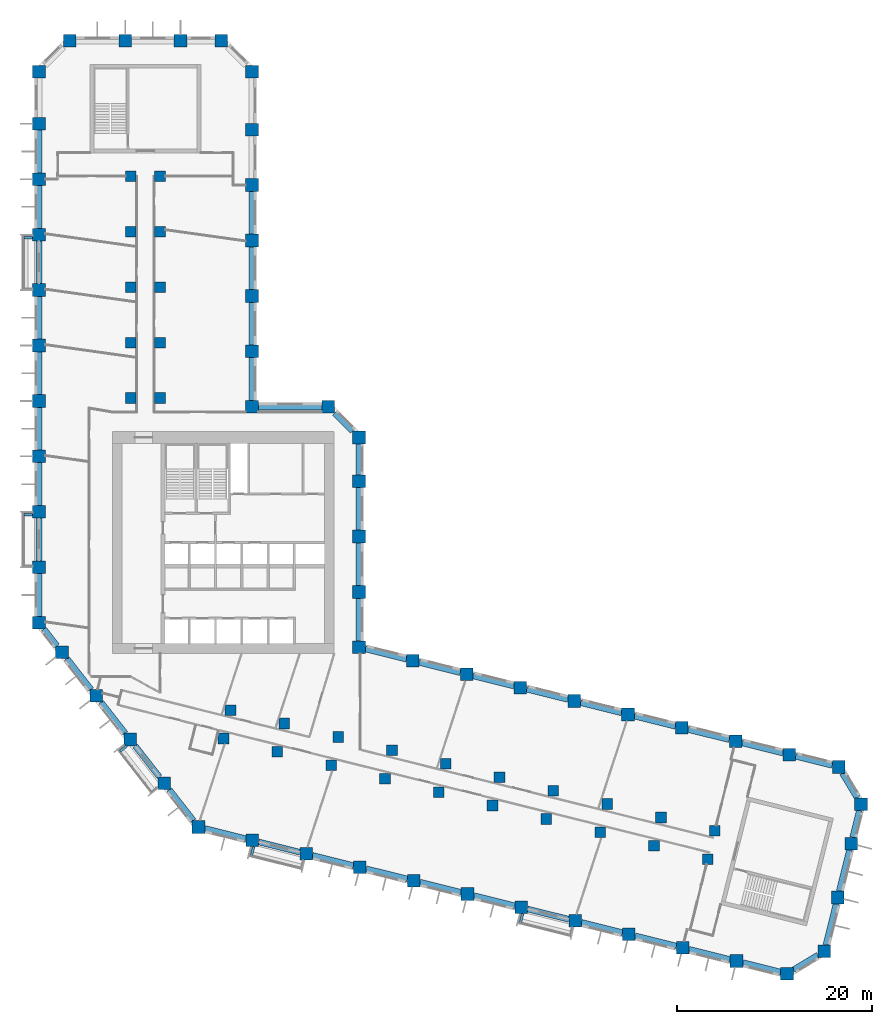
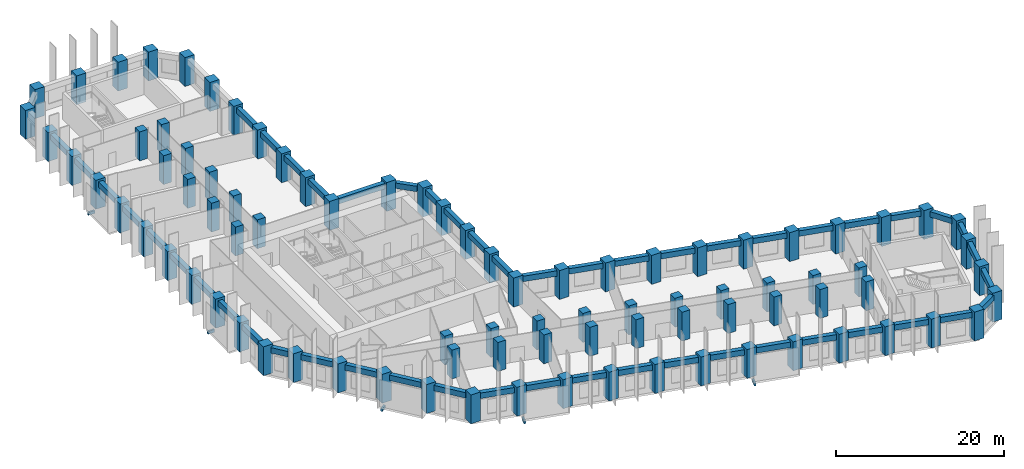
# One storey, part 1 of 11: 87 columns, 54 beams.
"""IFC4 building model written with IfcOpenShell, lengths in metres."""

from ifc_helpers import new_model, si_unit, direction, frame, origin, origin_2d, place, context, subcontext, project, spatial, rectangle, extrude, material, material_profile, profile_set, type_object, element, save


model = new_model("IFC4")

# Units and contexts
model_context = context("Model", 3, precision=1e-05, world=origin(), true_north=direction((0.0, 1.0)))
body_context = subcontext(model_context, "Body", "Model", "MODEL_VIEW")
ifc_project = project(units=[si_unit("LENGTHUNIT", "METRE"), si_unit("AREAUNIT", "SQUARE_METRE"), si_unit("VOLUMEUNIT", "CUBIC_METRE"), si_unit("PLANEANGLEUNIT", "RADIAN"), si_unit("MASSUNIT", "GRAM", prefix="KILO")], contexts=[model_context])

# Site, building, storey
site_placement = place(None, origin())
site = spatial("IfcSite", under=ifc_project, at=site_placement, CompositionType="ELEMENT")
building_placement = place(site_placement, origin())
building = spatial("IfcBuilding", under=site, at=building_placement, Name="Meshkara Civic Tower", CompositionType="ELEMENT")
storey_placement = place(building_placement, frame((0.0, 0.0, 147.60009765625)))
storey = spatial("IfcBuildingStorey", under=building, at=storey_placement, Name="L33", CompositionType="ELEMENT", Elevation=147.60009765625)

# Columns
ifc_material_1 = material(Name="Concrete C70", Category="concrete")
ifc_material_profile_1 = material_profile(ifc_material_1, rectangle(XDim=1.10009765625, YDim=1.10009765625, at=origin_2d()))
ifc_profile_set_1 = profile_set([ifc_material_profile_1], Name="Concrete C70")
column_type_1 = type_object("IfcColumnType", Name="Interior column RC 1100x1100 C70", PredefinedType="COLUMN", material=ifc_profile_set_1)
for number, where, z_axis, x_axis, name in (
    (1, (9.89990234375, 40.35009765625, 0.0), (0.0, 0.0, 1.0), (1.0, 0.0, 0.0), "Column SA1-04 L33"),
    (2, (9.89990234375, 46.050048828125, 0.0), (0.0, 0.0, 1.0), (1.0, 0.0, 0.0), "Column SA1-05 L33"),
    (3, (9.89990234375, 51.75, 0.0), (0.0, 0.0, 1.0), (1.0, 0.0, 0.0), "Column SA1-06 L33"),
    (4, (9.89990234375, 57.449951171875, 0.0), (0.0, 0.0, 1.0), (1.0, 0.0, 0.0), "Column SA1-07 L33"),
    (5, (9.89990234375, 63.14990234375, 0.0), (0.0, 0.0, 1.0), (1.0, 0.0, 0.0), "Column SA1-08 L33"),
    (6, (12.89990234375, 40.35009765625, 0.0), (0.0, 0.0, 1.0), (1.0, 0.0, 0.0), "Column SA2-04 L33"),
    (7, (12.89990234375, 46.050048828125, 0.0), (0.0, 0.0, 1.0), (1.0, 0.0, 0.0), "Column SA2-05 L33"),
    (8, (12.89990234375, 51.75, 0.0), (0.0, 0.0, 1.0), (1.0, 0.0, 0.0), "Column SA2-06 L33"),
    (9, (12.89990234375, 57.449951171875, 0.0), (0.0, 0.0, 1.0), (1.0, 0.0, 0.0), "Column SA2-07 L33"),
    (10, (12.89990234375, 63.14990234375, 0.0), (0.0, 0.0, 1.0), (1.0, 0.0, 0.0), "Column SA2-08 L33"),
    (11, (19.424072265625, 5.360107421875, 0.0), (0.0, 0.0, 1.0), (1.0, 0.0, 0.0), "Column SB1-00 L33"),
    (12, (24.9541015625, 3.98095703125, 0.0), (0.0, 0.0, 1.0), (1.0, 0.0, 0.0), "Column SB1-01 L33"),
    (13, (30.485107421875, 2.60205078125, 0.0), (0.0, 0.0, 1.0), (1.0, 0.0, 0.0), "Column SB1-02 L33"),
    (14, (36.01611328125, 1.222900390625, 0.0), (0.0, 0.0, 1.0), (1.0, 0.0, 0.0), "Column SB1-03 L33"),
    (15, (41.5458984375, -0.156005859375, 0.0), (0.0, 0.0, 1.0), (1.0, 0.0, 0.0), "Column SB1-04 L33"),
    (16, (47.076904296875, -1.534912109375, 0.0), (0.0, 0.0, 1.0), (1.0, 0.0, 0.0), "Column SB1-05 L33"),
    (17, (52.60791015625, -2.9140625, 0.0), (0.0, 0.0, 1.0), (1.0, 0.0, 0.0), "Column SB1-06 L33"),
    (18, (58.138916015625, -4.2919921875, 0.0), (0.0, 0.0, 1.0), (1.0, 0.0, 0.0), "Column SB1-07 L33"),
    (19, (63.6689453125, -5.6708984375, 0.0), (0.0, 0.0, 1.0), (1.0, 0.0, 0.0), "Column SB1-08 L33"),
    (20, (69.199951171875, -7.050048828125, 0.0), (0.0, 0.0, 1.0), (1.0, 0.0, 0.0), "Column SB1-09 L33"),
    (21, (20.14892578125, 8.27099609375, 0.0), (0.0, 0.0, 1.0), (1.0, 0.0, 0.0), "Column SB2-00 L33"),
    (22, (25.679931640625, 6.89208984375, 0.0), (0.0, 0.0, 1.0), (1.0, 0.0, 0.0), "Column SB2-01 L33"),
    (23, (31.2109375, 5.512939453125, 0.0), (0.0, 0.0, 1.0), (1.0, 0.0, 0.0), "Column SB2-02 L33"),
    (24, (36.741943359375, 4.134033203125, 0.0), (0.0, 0.0, 1.0), (1.0, 0.0, 0.0), "Column SB2-03 L33"),
    (25, (42.27197265625, 2.7548828125, 0.0), (0.0, 0.0, 1.0), (1.0, 0.0, 0.0), "Column SB2-04 L33"),
    (26, (47.802978515625, 1.3759765625, 0.0), (0.0, 0.0, 1.0), (1.0, 0.0, 0.0), "Column SB2-05 L33"),
    (27, (53.333984375, -0.0029296875, 0.0), (0.0, 0.0, 1.0), (1.0, 0.0, 0.0), "Column SB2-06 L33"),
    (28, (58.864013671875, -1.382080078125, 0.0), (0.0, 0.0, 1.0), (1.0, 0.0, 0.0), "Column SB2-07 L33"),
    (29, (64.39501953125, -2.760986328125, 0.0), (0.0, 0.0, 1.0), (1.0, 0.0, 0.0), "Column SB2-08 L33"),
    (30, (69.926025390625, -4.139892578125, 0.0), (0.0, 0.0, 1.0), (1.0, 0.0, 0.0), "Column SB2-09 L33"),
):
    element("IfcColumn", number, at=place(storey_placement, frame(where, z_axis=z_axis, x_axis=x_axis)), inside=storey, type_object=column_type_1, Name=name, PredefinedType="COLUMN", context=body_context, shape_type="SweptSolid", body=[
        extrude(rectangle(XDim=1.10009765625, YDim=1.10009765625, at=origin_2d()), origin(), (0.0, 0.0, 1.0), 4.199951171875),
    ])
ifc_material_2 = material(Name="Concrete C70", Category="concrete")
ifc_material_profile_2 = material_profile(ifc_material_2, rectangle(XDim=1.300048828125, YDim=1.300048828125, at=origin_2d()))
ifc_profile_set_2 = profile_set([ifc_material_profile_2], Name="Concrete C70")
column_type_2 = type_object("IfcColumnType", Name="Perimeter column RC 1300x1300 C70", PredefinedType="COLUMN", material=ifc_profile_set_2)
for number, where, z_axis, x_axis, name in (
    (31, (33.35009765625, 14.718994140625, 0.0), (0.0, 0.0, 1.0), (1.0, 0.0, 0.0), "Column HE00 L33"),
    (32, (33.35009765625, 20.4189453125, 0.0), (0.0, 0.0, 1.0), (1.0, 0.0, 0.0), "Column HE01 L33"),
    (33, (33.35009765625, 26.118896484375, 0.0), (0.0, 0.0, 1.0), (1.0, 0.0, 0.0), "Column HE02 L33"),
    (34, (33.35009765625, 31.819091796875, 0.0), (0.0, 0.0, 1.0), (1.0, 0.0, 0.0), "Column HE03 L33"),
    (35, (33.35009765625, 36.2939453125, 0.0), (0.0, 0.0, 1.0), (1.0, 0.0, 0.0), "Column HEE L33"),
    (36, (30.194091796875, 39.449951171875, 0.0), (0.0, 0.0, 1.0), (1.0, 0.0, 0.0), "Column HCeE L33"),
    (37, (22.35009765625, 39.449951171875, 0.0), (0.0, 0.0, 1.0), (1.0, 0.0, 0.0), "Column HN00 L33"),
    (38, (22.35009765625, 45.14990234375, 0.0), (0.0, 0.0, 1.0), (1.0, 0.0, 0.0), "Column AE01 L33"),
    (39, (22.35009765625, 50.85009765625, 0.0), (0.0, 0.0, 1.0), (1.0, 0.0, 0.0), "Column AE02 L33"),
    (40, (22.35009765625, 56.550048828125, 0.0), (0.0, 0.0, 1.0), (1.0, 0.0, 0.0), "Column AE03 L33"),
    (41, (22.35009765625, 62.25, 0.0), (0.0, 0.0, 1.0), (1.0, 0.0, 0.0), "Column AE04 L33"),
    (42, (22.35009765625, 67.949951171875, 0.0), (0.0, 0.0, 1.0), (1.0, 0.0, 0.0), "Column AE05 L33"),
    (43, (22.35009765625, 73.9140625, 0.0), (0.0, 0.0, 1.0), (1.0, 0.0, 0.0), "Column AEEP1 L33"),
    (44, (19.194091796875, 77.070068359375, 0.0), (0.0, 0.0, 1.0), (1.0, 0.0, 0.0), "Column ATiEP1 L33"),
    (45, (3.60595703125, 77.070068359375, 0.0), (0.0, 0.0, 1.0), (1.0, 0.0, 0.0), "Column AT00-P1 L33"),
    (46, (9.305908203125, 77.070068359375, 0.0), (0.0, 0.0, 1.0), (1.0, 0.0, 0.0), "Column AT01-P1 L33"),
    (47, (15.006103515625, 77.070068359375, 0.0), (0.0, 0.0, 1.0), (1.0, 0.0, 0.0), "Column AT02-P1 L33"),
    (48, (0.449951171875, 73.9140625, 0.0), (0.0, 0.0, 1.0), (1.0, 0.0, 0.0), "Column ATo00-P1 L33"),
    (49, (0.449951171875, 17.2548828125, 0.0), (0.0, 0.0, 1.0), (1.0, 0.0, 0.0), "Column AW00 L33"),
    (50, (0.449951171875, 22.955078125, 0.0), (0.0, 0.0, 1.0), (1.0, 0.0, 0.0), "Column AW01 L33"),
    (51, (0.449951171875, 28.655029296875, 0.0), (0.0, 0.0, 1.0), (1.0, 0.0, 0.0), "Column AW02 L33"),
    (52, (0.449951171875, 34.35498046875, 0.0), (0.0, 0.0, 1.0), (1.0, 0.0, 0.0), "Column AW03 L33"),
    (53, (0.449951171875, 40.054931640625, 0.0), (0.0, 0.0, 1.0), (1.0, 0.0, 0.0), "Column AW04 L33"),
    (54, (0.449951171875, 45.7548828125, 0.0), (0.0, 0.0, 1.0), (1.0, 0.0, 0.0), "Column AW05 L33"),
    (55, (0.449951171875, 51.455078125, 0.0), (0.0, 0.0, 1.0), (1.0, 0.0, 0.0), "Column AW06 L33"),
    (56, (0.449951171875, 57.155029296875, 0.0), (0.0, 0.0, 1.0), (1.0, 0.0, 0.0), "Column AW07 L33"),
    (57, (0.449951171875, 62.85498046875, 0.0), (0.0, 0.0, 1.0), (1.0, 0.0, 0.0), "Column AW08 L33"),
    (58, (0.449951171875, 68.554931640625, 0.0), (0.0, 0.0, 1.0), (1.0, 0.0, 0.0), "Column AW09 L33"),
    (59, (16.85107421875, -3.738037109375, 0.0), (0.0, 0.0, 1.0), (1.0, 0.0, 0.0), "Column BOW00 L33"),
    (60, (13.342041015625, 0.75390625, 0.0), (0.0, 0.0, 1.0), (1.0, 0.0, 0.0), "Column BOW01 L33"),
    (61, (9.8330078125, 5.2451171875, 0.0), (0.0, 0.0, 1.0), (1.0, 0.0, 0.0), "Column BOW02 L33"),
    (62, (6.322998046875, 9.737060546875, 0.0), (0.0, 0.0, 1.0), (1.0, 0.0, 0.0), "Column BOW03 L33"),
    (63, (2.81396484375, 14.22900390625, 0.0), (0.0, 0.0, 1.0), (1.0, 0.0, 0.0), "Column BOW04 L33"),
    (64, (22.382080078125, -5.116943359375, 0.0), (0.0, 0.0, 1.0), (1.0, 0.0, 0.0), "Column BS01 L33"),
    (65, (27.912109375, -6.49609375, 0.0), (0.0, 0.0, 1.0), (1.0, 0.0, 0.0), "Column BS02 L33"),
    (66, (33.443115234375, -7.875, 0.0), (0.0, 0.0, 1.0), (1.0, 0.0, 0.0), "Column BS03 L33"),
    (67, (38.97412109375, -9.2529296875, 0.0), (0.0, 0.0, 1.0), (1.0, 0.0, 0.0), "Column BS04-P1 L33"),
    (68, (44.5048828125, -10.632080078125, 0.0), (0.0, 0.0, 1.0), (1.0, 0.0, 0.0), "Column BS05 L33"),
    (69, (50.034912109375, -12.010986328125, 0.0), (0.0, 0.0, 1.0), (1.0, 0.0, 0.0), "Column BS06 L33"),
    (70, (55.56591796875, -13.389892578125, 0.0), (0.0, 0.0, 1.0), (1.0, 0.0, 0.0), "Column BS07 L33"),
    (71, (61.096923828125, -14.76904296875, 0.0), (0.0, 0.0, 1.0), (1.0, 0.0, 0.0), "Column BS08 L33"),
    (72, (66.626953125, -16.14794921875, 0.0), (0.0, 0.0, 1.0), (1.0, 0.0, 0.0), "Column BS09 L33"),
    (73, (72.157958984375, -17.527099609375, 0.0), (0.0, 0.0, 1.0), (1.0, 0.0, 0.0), "Column BS10 L33"),
    (74, (77.35791015625, -18.822998046875, 0.0), (0.0, 0.0, 1.0), (1.0, 0.0, 0.0), "Column BSEP1 L33"),
    (75, (81.18310546875, -16.52392578125, 0.0), (0.0, 0.0, 1.0), (1.0, 0.0, 0.0), "Column BToEP1 L33"),
    (76, (82.56201171875, -10.992919921875, 0.0), (0.0, 0.0, 1.0), (1.0, 0.0, 0.0), "Column BT01-P1 L33"),
    (77, (83.94091796875, -5.462890625, 0.0), (0.0, 0.0, 1.0), (1.0, 0.0, 0.0), "Column BT02-P1 L33"),
    (78, (84.9541015625, -1.39990234375, 0.0), (0.0, 0.0, 1.0), (1.0, 0.0, 0.0), "Column BTEP1 L33"),
    (79, (82.655029296875, 2.425048828125, 0.0), (0.0, 0.0, 1.0), (1.0, 0.0, 0.0), "Column BTi00-P1 L33"),
    (80, (38.881103515625, 13.340087890625, 0.0), (0.0, 0.0, 1.0), (1.0, 0.0, 0.0), "Column BN01 L33"),
    (81, (44.410888671875, 11.9609375, 0.0), (0.0, 0.0, 1.0), (1.0, 0.0, 0.0), "Column BN02 L33"),
    (82, (49.94189453125, 10.58203125, 0.0), (0.0, 0.0, 1.0), (1.0, 0.0, 0.0), "Column BN03 L33"),
    (83, (55.472900390625, 9.202880859375, 0.0), (0.0, 0.0, 1.0), (1.0, 0.0, 0.0), "Column BN04 L33"),
    (84, (61.0029296875, 7.823974609375, 0.0), (0.0, 0.0, 1.0), (1.0, 0.0, 0.0), "Column BN05 L33"),
    (85, (66.533935546875, 6.445068359375, 0.0), (0.0, 0.0, 1.0), (1.0, 0.0, 0.0), "Column BN06 L33"),
    (86, (72.06494140625, 5.06591796875, 0.0), (0.0, 0.0, 1.0), (1.0, 0.0, 0.0), "Column BN07 L33"),
    (87, (77.594970703125, 3.68701171875, 0.0), (0.0, 0.0, 1.0), (1.0, 0.0, 0.0), "Column BN08 L33"),
):
    element("IfcColumn", number, at=place(storey_placement, frame(where, z_axis=z_axis, x_axis=x_axis)), inside=storey, type_object=column_type_2, Name=name, PredefinedType="COLUMN", context=body_context, shape_type="SweptSolid", body=[
        extrude(rectangle(XDim=1.300048828125, YDim=1.300048828125, at=origin_2d()), origin(), (0.0, 0.0, 1.0), 4.199951171875),
    ])

# Beams
ifc_material_3 = material(Name="Concrete C50", Category="concrete")
ifc_material_profile_3 = material_profile(ifc_material_3, rectangle(XDim=0.25, YDim=0.39990234375, at=origin_2d()))
ifc_profile_set_3 = profile_set([ifc_material_profile_3], Name="Concrete C50")
beam_type_1 = type_object("IfcBeamType", Name="Balcony bracket beam RC 250x400 C50", PredefinedType="BEAM", material=ifc_profile_set_3)
for number, where, z_axis, x_axis, name in (
    (88, (-0.195068359375, 56.85498046875, -0.5), (-1.0, 0.0, 0.0), (0.0, -1.0, 0.0), "Balcony bracket beam"),
    (89, (-0.195068359375, 28.35498046875, -0.5), (-1.0, 0.0, 0.0), (0.0, -1.0, 0.0), "Balcony bracket beam"),
):
    element("IfcBeam", number, at=place(storey_placement, frame(where, z_axis=z_axis, x_axis=x_axis)), inside=storey, type_object=beam_type_1, Name=name, PredefinedType="BEAM", context=body_context, shape_type="SweptSolid", body=[
        extrude(rectangle(XDim=0.25, YDim=0.39990234375, at=origin_2d()), origin(), (0.0, 0.0, 1.0), 0.905029296875),
    ])
beam_1_placement = place(storey_placement, frame((9.491943359375, 4.597900390625, -0.5), z_axis=(-0.787936375825, -0.615756662693, 0.0), x_axis=(0.615756662693, -0.787936375825, 0.0)))
element("IfcBeam", 90, at=beam_1_placement, inside=storey, type_object=beam_type_1, Name="Balcony bracket beam", PredefinedType="BEAM", context=body_context, shape_type="SweptSolid", body=[
    extrude(rectangle(XDim=0.25, YDim=0.39990234375, at=origin_2d()), origin(), (0.0, 0.0, 1.0), 0.88330078125),
])
beam_2_placement = place(storey_placement, frame((22.530029296875, -5.761962890625, -0.5), z_axis=(-0.241697450497, -0.970351659154, 0.0), x_axis=(0.970351659154, -0.241697450497, 0.0)))
element("IfcBeam", 91, at=beam_2_placement, inside=storey, type_object=beam_type_1, Name="Balcony bracket beam", PredefinedType="BEAM", context=body_context, shape_type="SweptSolid", body=[
    extrude(rectangle(XDim=0.25, YDim=0.39990234375, at=origin_2d()), origin(), (0.0, 0.0, 1.0), 0.959716796875),
])
beam_3_placement = place(storey_placement, frame((50.18310546875, -12.656005859375, -0.5), z_axis=(-0.241757949961, -0.970336587804, 0.0), x_axis=(0.970336587804, -0.241757949961, 0.0)))
element("IfcBeam", 92, at=beam_3_placement, inside=storey, type_object=beam_type_1, Name="Balcony bracket beam", PredefinedType="BEAM", context=body_context, shape_type="SweptSolid", body=[
    extrude(rectangle(XDim=0.25, YDim=0.39990234375, at=origin_2d()), origin(), (0.0, 0.0, 1.0), 0.96044921875),
])
ifc_material_4 = material(Name="Concrete C70", Category="concrete")
ifc_material_profile_4 = material_profile(ifc_material_4, rectangle(XDim=0.60009765625, YDim=0.800048828125, at=origin_2d()))
ifc_profile_set_4 = profile_set([ifc_material_profile_4], Name="Concrete C70")
beam_type_2 = type_object("IfcBeamType", Name="Spandrel beam RC 600x800 C70", PredefinedType="BEAM", material=ifc_profile_set_4)
beam_4_placement = place(storey_placement, frame((76.949951171875, 3.847900390625, 3.5), z_axis=(-0.970293497888, 0.241930832999, 0.0), x_axis=(-0.241930832999, -0.970293497888, 0.0)))
element("IfcBeam", 93, at=beam_4_placement, inside=storey, type_object=beam_type_2, Name="Spandrel beam BN07-BN08", PredefinedType="BEAM", context=body_context, shape_type="SweptSolid", body=[
    extrude(rectangle(XDim=0.60009765625, YDim=0.800048828125, at=origin_2d()), origin(), (0.0, 0.0, 1.0), 4.36962890625),
])
for number, where, z_axis, x_axis, name in (
    (94, (71.419921875, 5.226806640625, 3.5), (-0.970293463154, 0.241930972304, 0.0), (-0.241930972304, -0.970293463154, 0.0), "Spandrel beam BN06-BN07"),
    (95, (65.888916015625, 6.605712890625, 3.5), (-0.970293463154, 0.241930972304, 0.0), (-0.241930972304, -0.970293463154, 0.0), "Spandrel beam BN05-BN06"),
):
    element("IfcBeam", number, at=place(storey_placement, frame(where, z_axis=z_axis, x_axis=x_axis)), inside=storey, type_object=beam_type_2, Name=name, PredefinedType="BEAM", context=body_context, shape_type="SweptSolid", body=[
        extrude(rectangle(XDim=0.60009765625, YDim=0.800048828125, at=origin_2d()), origin(), (0.0, 0.0, 1.0), 4.37060546875),
    ])
beam_5_placement = place(storey_placement, frame((60.35791015625, 7.98486328125, 3.5), z_axis=(-0.970293497888, 0.241930832999, 0.0), x_axis=(-0.241930832999, -0.970293497888, 0.0)))
element("IfcBeam", 96, at=beam_5_placement, inside=storey, type_object=beam_type_2, Name="Spandrel beam BN04-BN05", PredefinedType="BEAM", context=body_context, shape_type="SweptSolid", body=[
    extrude(rectangle(XDim=0.60009765625, YDim=0.800048828125, at=origin_2d()), origin(), (0.0, 0.0, 1.0), 4.36962890625),
])
for number, where, z_axis, x_axis, name in (
    (97, (54.827880859375, 9.36376953125, 3.5), (-0.970293463154, 0.241930972304, 0.0), (-0.241930972304, -0.970293463154, 0.0), "Spandrel beam BN03-BN04"),
    (98, (49.296875, 10.742919921875, 3.5), (-0.970293463154, 0.241930972304, 0.0), (-0.241930972304, -0.970293463154, 0.0), "Spandrel beam BN02-BN03"),
):
    element("IfcBeam", number, at=place(storey_placement, frame(where, z_axis=z_axis, x_axis=x_axis)), inside=storey, type_object=beam_type_2, Name=name, PredefinedType="BEAM", context=body_context, shape_type="SweptSolid", body=[
        extrude(rectangle(XDim=0.60009765625, YDim=0.800048828125, at=origin_2d()), origin(), (0.0, 0.0, 1.0), 4.37060546875),
    ])
beam_6_placement = place(storey_placement, frame((43.765869140625, 12.121826171875, 3.5), z_axis=(-0.970280380753, 0.241983434817, 0.0), x_axis=(-0.241983434817, -0.970280380753, 0.0)))
element("IfcBeam", 99, at=beam_6_placement, inside=storey, type_object=beam_type_2, Name="Spandrel beam BN01-BN02", PredefinedType="BEAM", context=body_context, shape_type="SweptSolid", body=[
    extrude(rectangle(XDim=0.60009765625, YDim=0.800048828125, at=origin_2d()), origin(), (0.0, 0.0, 1.0), 4.36962890625),
])
beam_7_placement = place(storey_placement, frame((38.23583984375, 13.500732421875, 3.5), z_axis=(-0.970293463154, 0.241930972304, 0.0), x_axis=(-0.241930972304, -0.970293463154, 0.0)))
element("IfcBeam", 100, at=beam_7_placement, inside=storey, type_object=beam_type_2, Name="Spandrel beam BN01-HE00", PredefinedType="BEAM", context=body_context, shape_type="SweptSolid", body=[
    extrude(rectangle(XDim=0.60009765625, YDim=0.800048828125, at=origin_2d()), origin(), (0.0, 0.0, 1.0), 4.37060546875),
])
beam_8_placement = place(storey_placement, frame((33.35009765625, 15.364013671875, 3.5), z_axis=(0.0, 1.0, 0.0), x_axis=(-1.0, 0.0, 0.0)))
element("IfcBeam", 101, at=beam_8_placement, inside=storey, type_object=beam_type_2, Name="Spandrel beam HE00-HE01", PredefinedType="BEAM", context=body_context, shape_type="SweptSolid", body=[
    extrude(rectangle(XDim=0.60009765625, YDim=0.800048828125, at=origin_2d()), origin(), (0.0, 0.0, 1.0), 4.409912109375),
])
for number, where, z_axis, x_axis, name in (
    (102, (33.35009765625, 21.06396484375, 3.5), (0.0, 1.0, 0.0), (-1.0, 0.0, 0.0), "Spandrel beam HE01-HE02"),
    (103, (33.35009765625, 26.763916015625, 3.5), (0.0, 1.0, 0.0), (-1.0, 0.0, 0.0), "Spandrel beam HE02-HE03"),
):
    element("IfcBeam", number, at=place(storey_placement, frame(where, z_axis=z_axis, x_axis=x_axis)), inside=storey, type_object=beam_type_2, Name=name, PredefinedType="BEAM", context=body_context, shape_type="SweptSolid", body=[
        extrude(rectangle(XDim=0.60009765625, YDim=0.800048828125, at=origin_2d()), origin(), (0.0, 0.0, 1.0), 4.41015625),
    ])
beam_9_placement = place(storey_placement, frame((33.35009765625, 32.464111328125, 3.5), z_axis=(0.0, 1.0, 0.0), x_axis=(-1.0, 0.0, 0.0)))
element("IfcBeam", 104, at=beam_9_placement, inside=storey, type_object=beam_type_2, Name="Spandrel beam HE03-HEE", PredefinedType="BEAM", context=body_context, shape_type="SweptSolid", body=[
    extrude(rectangle(XDim=0.60009765625, YDim=0.800048828125, at=origin_2d()), origin(), (0.0, 0.0, 1.0), 3.184814453125),
])
beam_10_placement = place(storey_placement, frame((32.70361328125, 36.9404296875, 3.5), z_axis=(-0.707106781187, 0.707106781187, 0.0), x_axis=(-0.707106781187, -0.707106781187, 0.0)))
element("IfcBeam", 105, at=beam_10_placement, inside=storey, type_object=beam_type_2, Name="Spandrel beam HCeE-HEE", PredefinedType="BEAM", context=body_context, shape_type="SweptSolid", body=[
    extrude(rectangle(XDim=0.60009765625, YDim=0.800048828125, at=origin_2d()), origin(), (0.0, 0.0, 1.0), 2.634765625),
])
beam_11_placement = place(storey_placement, frame((29.549072265625, 39.449951171875, 3.5), z_axis=(-1.0, 0.0, 0.0), x_axis=(0.0, -1.0, 0.0)))
element("IfcBeam", 106, at=beam_11_placement, inside=storey, type_object=beam_type_2, Name="Spandrel beam HCeE-HN00", PredefinedType="BEAM", context=body_context, shape_type="SweptSolid", body=[
    extrude(rectangle(XDim=0.60009765625, YDim=0.800048828125, at=origin_2d()), origin(), (0.0, 0.0, 1.0), 6.553955078125),
])
beam_12_placement = place(storey_placement, frame((22.35009765625, 40.094970703125, 3.5), z_axis=(0.0, 1.0, 0.0), x_axis=(-1.0, 0.0, 0.0)))
element("IfcBeam", 107, at=beam_12_placement, inside=storey, type_object=beam_type_2, Name="Spandrel beam AE01-HN00", PredefinedType="BEAM", context=body_context, shape_type="SweptSolid", body=[
    extrude(rectangle(XDim=0.60009765625, YDim=0.800048828125, at=origin_2d()), origin(), (0.0, 0.0, 1.0), 4.409912109375),
])
beam_13_placement = place(storey_placement, frame((22.35009765625, 45.794921875, 3.5), z_axis=(0.0, 1.0, 0.0), x_axis=(-1.0, 0.0, 0.0)))
element("IfcBeam", 108, at=beam_13_placement, inside=storey, type_object=beam_type_2, Name="Spandrel beam AE01-AE02", PredefinedType="BEAM", context=body_context, shape_type="SweptSolid", body=[
    extrude(rectangle(XDim=0.60009765625, YDim=0.800048828125, at=origin_2d()), origin(), (0.0, 0.0, 1.0), 4.41015625),
])
for number, where, z_axis, x_axis, name in (
    (109, (22.35009765625, 51.4951171875, 3.5), (0.0, 1.0, 0.0), (-1.0, 0.0, 0.0), "Spandrel beam AE02-AE03"),
    (110, (22.35009765625, 57.195068359375, 3.5), (0.0, 1.0, 0.0), (-1.0, 0.0, 0.0), "Spandrel beam AE03-AE04"),
    (111, (0.449951171875, 67.909912109375, 3.5), (0.0, -1.0, 0.0), (1.0, 0.0, 0.0), "Spandrel beam AW08-AW09"),
    (112, (0.449951171875, 62.2099609375, 3.5), (0.0, -1.0, 0.0), (1.0, 0.0, 0.0), "Spandrel beam AW07-AW08"),
    (113, (0.449951171875, 56.510009765625, 3.5), (0.0, -1.0, 0.0), (1.0, 0.0, 0.0), "Spandrel beam AW06-AW07"),
):
    element("IfcBeam", number, at=place(storey_placement, frame(where, z_axis=z_axis, x_axis=x_axis)), inside=storey, type_object=beam_type_2, Name=name, PredefinedType="BEAM", context=body_context, shape_type="SweptSolid", body=[
        extrude(rectangle(XDim=0.60009765625, YDim=0.800048828125, at=origin_2d()), origin(), (0.0, 0.0, 1.0), 4.409912109375),
    ])
for number, where, z_axis, x_axis, name in (
    (114, (0.449951171875, 50.81005859375, 3.5), (0.0, -1.0, 0.0), (1.0, 0.0, 0.0), "Spandrel beam AW05-AW06"),
    (115, (0.449951171875, 45.110107421875, 3.5), (0.0, -1.0, 0.0), (1.0, 0.0, 0.0), "Spandrel beam AW04-AW05"),
):
    element("IfcBeam", number, at=place(storey_placement, frame(where, z_axis=z_axis, x_axis=x_axis)), inside=storey, type_object=beam_type_2, Name=name, PredefinedType="BEAM", context=body_context, shape_type="SweptSolid", body=[
        extrude(rectangle(XDim=0.60009765625, YDim=0.800048828125, at=origin_2d()), origin(), (0.0, 0.0, 1.0), 4.41015625),
    ])
for number, where, z_axis, x_axis, name in (
    (116, (0.449951171875, 39.409912109375, 3.5), (0.0, -1.0, 0.0), (1.0, 0.0, 0.0), "Spandrel beam AW03-AW04"),
    (117, (0.449951171875, 33.7099609375, 3.5), (0.0, -1.0, 0.0), (1.0, 0.0, 0.0), "Spandrel beam AW02-AW03"),
    (118, (0.449951171875, 28.010009765625, 3.5), (0.0, -1.0, 0.0), (1.0, 0.0, 0.0), "Spandrel beam AW01-AW02"),
):
    element("IfcBeam", number, at=place(storey_placement, frame(where, z_axis=z_axis, x_axis=x_axis)), inside=storey, type_object=beam_type_2, Name=name, PredefinedType="BEAM", context=body_context, shape_type="SweptSolid", body=[
        extrude(rectangle(XDim=0.60009765625, YDim=0.800048828125, at=origin_2d()), origin(), (0.0, 0.0, 1.0), 4.409912109375),
    ])
beam_14_placement = place(storey_placement, frame((0.449951171875, 22.31005859375, 3.5), z_axis=(0.0, -1.0, 0.0), x_axis=(1.0, 0.0, 0.0)))
element("IfcBeam", 119, at=beam_14_placement, inside=storey, type_object=beam_type_2, Name="Spandrel beam AW00-AW01", PredefinedType="BEAM", context=body_context, shape_type="SweptSolid", body=[
    extrude(rectangle(XDim=0.60009765625, YDim=0.800048828125, at=origin_2d()), origin(), (0.0, 0.0, 1.0), 4.41015625),
])
beam_15_placement = place(storey_placement, frame((0.95458984375, 16.60888671875, 3.5), z_axis=(0.61568279769, -0.787994094286, 0.0), x_axis=(0.787994094286, 0.61568279769, 0.0)))
element("IfcBeam", 120, at=beam_15_placement, inside=storey, type_object=beam_type_2, Name="Spandrel beam AW00-BOW04", PredefinedType="BEAM", context=body_context, shape_type="SweptSolid", body=[
    extrude(rectangle(XDim=0.60009765625, YDim=0.800048828125, at=origin_2d()), origin(), (0.0, 0.0, 1.0), 2.200439453125),
])
beam_16_placement = place(storey_placement, frame((3.318603515625, 13.5830078125, 3.5), z_axis=(0.615612539127, -0.788048984309, 0.0), x_axis=(0.788048984309, 0.615612539127, 0.0)))
element("IfcBeam", 121, at=beam_16_placement, inside=storey, type_object=beam_type_2, Name="Spandrel beam BOW03-BOW04", PredefinedType="BEAM", context=body_context, shape_type="SweptSolid", body=[
    extrude(rectangle(XDim=0.60009765625, YDim=0.800048828125, at=origin_2d()), origin(), (0.0, 0.0, 1.0), 4.060546875),
])
beam_17_placement = place(storey_placement, frame((6.827880859375, 9.0908203125, 3.5), z_axis=(0.615716376188, -0.787967857272, 0.0), x_axis=(0.787967857272, 0.615716376188, 0.0)))
element("IfcBeam", 122, at=beam_17_placement, inside=storey, type_object=beam_type_2, Name="Spandrel beam BOW02-BOW03", PredefinedType="BEAM", context=body_context, shape_type="SweptSolid", body=[
    extrude(rectangle(XDim=0.60009765625, YDim=0.800048828125, at=origin_2d()), origin(), (0.0, 0.0, 1.0), 4.060791015625),
])
beam_18_placement = place(storey_placement, frame((10.337890625, 4.598876953125, 3.5), z_axis=(0.61568372316, -0.787993371188, 0.0), x_axis=(0.787993371188, 0.61568372316, 0.0)))
element("IfcBeam", 123, at=beam_18_placement, inside=storey, type_object=beam_type_2, Name="Spandrel beam BOW01-BOW02", PredefinedType="BEAM", context=body_context, shape_type="SweptSolid", body=[
    extrude(rectangle(XDim=0.60009765625, YDim=0.800048828125, at=origin_2d()), origin(), (0.0, 0.0, 1.0), 4.059326171875),
])
beam_19_placement = place(storey_placement, frame((13.8466796875, 0.10791015625, 3.5), z_axis=(0.615604368214, -0.78805536724, 0.0), x_axis=(0.78805536724, 0.615604368214, 0.0)))
element("IfcBeam", 124, at=beam_19_placement, inside=storey, type_object=beam_type_2, Name="Spandrel beam BOW00-BOW01", PredefinedType="BEAM", context=body_context, shape_type="SweptSolid", body=[
    extrude(rectangle(XDim=0.60009765625, YDim=0.800048828125, at=origin_2d()), origin(), (0.0, 0.0, 1.0), 4.060302734375),
])
beam_20_placement = place(storey_placement, frame((17.49609375, -3.898681640625, 3.5), z_axis=(0.970280349033, -0.241983562004, 0.0), x_axis=(0.241983562004, 0.970280349033, 0.0)))
element("IfcBeam", 125, at=beam_20_placement, inside=storey, type_object=beam_type_2, Name="Spandrel beam BOW00-BS01", PredefinedType="BEAM", context=body_context, shape_type="SweptSolid", body=[
    extrude(rectangle(XDim=0.60009765625, YDim=0.800048828125, at=origin_2d()), origin(), (0.0, 0.0, 1.0), 4.37060546875),
])
beam_21_placement = place(storey_placement, frame((23.027099609375, -5.27783203125, 3.5), z_axis=(0.970280380753, -0.241983434817, 0.0), x_axis=(0.241983434817, 0.970280380753, 0.0)))
element("IfcBeam", 126, at=beam_21_placement, inside=storey, type_object=beam_type_2, Name="Spandrel beam BS01-BS02", PredefinedType="BEAM", context=body_context, shape_type="SweptSolid", body=[
    extrude(rectangle(XDim=0.60009765625, YDim=0.800048828125, at=origin_2d()), origin(), (0.0, 0.0, 1.0), 4.36962890625),
])
beam_22_placement = place(storey_placement, frame((28.55712890625, -6.65673828125, 3.5), z_axis=(0.970293463154, -0.241930972304, 0.0), x_axis=(0.241930972304, 0.970293463154, 0.0)))
element("IfcBeam", 127, at=beam_22_placement, inside=storey, type_object=beam_type_2, Name="Spandrel beam BS02-BS03", PredefinedType="BEAM", context=body_context, shape_type="SweptSolid", body=[
    extrude(rectangle(XDim=0.60009765625, YDim=0.800048828125, at=origin_2d()), origin(), (0.0, 0.0, 1.0), 4.37060546875),
])
beam_23_placement = place(storey_placement, frame((34.088134765625, -8.03564453125, 3.5), z_axis=(0.97033279054, -0.241773190412, 0.0), x_axis=(0.241773190412, 0.97033279054, 0.0)))
element("IfcBeam", 128, at=beam_23_placement, inside=storey, type_object=beam_type_2, Name="Spandrel beam BS03-BS04-P1", PredefinedType="BEAM", context=body_context, shape_type="SweptSolid", body=[
    extrude(rectangle(XDim=0.60009765625, YDim=0.800048828125, at=origin_2d()), origin(), (0.0, 0.0, 1.0), 4.370361328125),
])
beam_24_placement = place(storey_placement, frame((39.619140625, -9.413818359375, 3.5), z_axis=(0.970293463154, -0.241930972304, 0.0), x_axis=(0.241930972304, 0.970293463154, 0.0)))
element("IfcBeam", 129, at=beam_24_placement, inside=storey, type_object=beam_type_2, Name="Spandrel beam BS04-P1-BS05", PredefinedType="BEAM", context=body_context, shape_type="SweptSolid", body=[
    extrude(rectangle(XDim=0.60009765625, YDim=0.800048828125, at=origin_2d()), origin(), (0.0, 0.0, 1.0), 4.37060546875),
])
beam_25_placement = place(storey_placement, frame((45.150146484375, -10.79296875, 3.5), z_axis=(0.970293497888, -0.241930832999, 0.0), x_axis=(0.241930832999, 0.970293497888, 0.0)))
element("IfcBeam", 130, at=beam_25_placement, inside=storey, type_object=beam_type_2, Name="Spandrel beam BS05-BS06", PredefinedType="BEAM", context=body_context, shape_type="SweptSolid", body=[
    extrude(rectangle(XDim=0.60009765625, YDim=0.800048828125, at=origin_2d()), origin(), (0.0, 0.0, 1.0), 4.36962890625),
])
for number, where, z_axis, x_axis, name in (
    (131, (50.68017578125, -12.171875, 3.5), (0.970293463154, -0.241930972304, 0.0), (0.241930972304, 0.970293463154, 0.0), "Spandrel beam BS06-BS07"),
    (132, (56.211181640625, -13.55078125, 3.5), (0.970293463154, -0.241930972304, 0.0), (0.241930972304, 0.970293463154, 0.0), "Spandrel beam BS07-BS08"),
):
    element("IfcBeam", number, at=place(storey_placement, frame(where, z_axis=z_axis, x_axis=x_axis)), inside=storey, type_object=beam_type_2, Name=name, PredefinedType="BEAM", context=body_context, shape_type="SweptSolid", body=[
        extrude(rectangle(XDim=0.60009765625, YDim=0.800048828125, at=origin_2d()), origin(), (0.0, 0.0, 1.0), 4.37060546875),
    ])
beam_26_placement = place(storey_placement, frame((61.7421875, -14.929931640625, 3.5), z_axis=(0.970293497888, -0.241930832999, 0.0), x_axis=(0.241930832999, 0.970293497888, 0.0)))
element("IfcBeam", 133, at=beam_26_placement, inside=storey, type_object=beam_type_2, Name="Spandrel beam BS08-BS09", PredefinedType="BEAM", context=body_context, shape_type="SweptSolid", body=[
    extrude(rectangle(XDim=0.60009765625, YDim=0.800048828125, at=origin_2d()), origin(), (0.0, 0.0, 1.0), 4.36962890625),
])
beam_27_placement = place(storey_placement, frame((67.272216796875, -16.308837890625, 3.5), z_axis=(0.970293463154, -0.241930972304, 0.0), x_axis=(0.241930972304, 0.970293463154, 0.0)))
element("IfcBeam", 134, at=beam_27_placement, inside=storey, type_object=beam_type_2, Name="Spandrel beam BS09-BS10", PredefinedType="BEAM", context=body_context, shape_type="SweptSolid", body=[
    extrude(rectangle(XDim=0.60009765625, YDim=0.800048828125, at=origin_2d()), origin(), (0.0, 0.0, 1.0), 4.37060546875),
])
beam_28_placement = place(storey_placement, frame((72.802978515625, -17.687744140625, 3.5), z_axis=(0.970323993045, -0.241808495551, 0.0), x_axis=(0.241808495551, 0.970323993045, 0.0)))
element("IfcBeam", 135, at=beam_28_placement, inside=storey, type_object=beam_type_2, Name="Spandrel beam BS10-BSEP1", PredefinedType="BEAM", context=body_context, shape_type="SweptSolid", body=[
    extrude(rectangle(XDim=0.60009765625, YDim=0.800048828125, at=origin_2d()), origin(), (0.0, 0.0, 1.0), 4.029541015625),
])
beam_29_placement = place(storey_placement, frame((78.003662109375, -18.434814453125, 3.5), z_axis=(0.857121046107, 0.515115047655, 0.0), x_axis=(-0.515115047655, 0.857121046107, 0.0)))
element("IfcBeam", 136, at=beam_29_placement, inside=storey, type_object=beam_type_2, Name="Spandrel beam BSEP1-BToEP1", PredefinedType="BEAM", context=body_context, shape_type="SweptSolid", body=[
    extrude(rectangle(XDim=0.60009765625, YDim=0.800048828125, at=origin_2d()), origin(), (0.0, 0.0, 1.0), 2.9560546875),
])
beam_30_placement = place(storey_placement, frame((81.34375, -15.87890625, 3.5), z_axis=(0.241930972304, 0.970293463154, 0.0), x_axis=(-0.970293463154, 0.241930972304, 0.0)))
element("IfcBeam", 137, at=beam_30_placement, inside=storey, type_object=beam_type_2, Name="Spandrel beam BT01-P1-BToEP1", PredefinedType="BEAM", context=body_context, shape_type="SweptSolid", body=[
    extrude(rectangle(XDim=0.60009765625, YDim=0.800048828125, at=origin_2d()), origin(), (0.0, 0.0, 1.0), 4.37060546875),
])
beam_31_placement = place(storey_placement, frame((82.722900390625, -10.347900390625, 3.5), z_axis=(0.241930832999, 0.970293497888, 0.0), x_axis=(-0.970293497888, 0.241930832999, 0.0)))
element("IfcBeam", 138, at=beam_31_placement, inside=storey, type_object=beam_type_2, Name="Spandrel beam BT01-P1-BT02-P1", PredefinedType="BEAM", context=body_context, shape_type="SweptSolid", body=[
    extrude(rectangle(XDim=0.60009765625, YDim=0.800048828125, at=origin_2d()), origin(), (0.0, 0.0, 1.0), 4.36962890625),
])
beam_32_placement = place(storey_placement, frame((84.101806640625, -4.81787109375, 3.5), z_axis=(0.241952611346, 0.970288067464, 0.0), x_axis=(-0.970288067464, 0.241952611346, 0.0)))
element("IfcBeam", 139, at=beam_32_placement, inside=storey, type_object=beam_type_2, Name="Spandrel beam BT02-P1-BTEP1", PredefinedType="BEAM", context=body_context, shape_type="SweptSolid", body=[
    extrude(rectangle(XDim=0.60009765625, YDim=0.800048828125, at=origin_2d()), origin(), (0.0, 0.0, 1.0), 2.857666015625),
])
beam_33_placement = place(storey_placement, frame((84.56591796875, -0.75439453125, 3.5), z_axis=(-0.515115047655, 0.857121046107, 0.0), x_axis=(-0.857121046107, -0.515115047655, 0.0)))
element("IfcBeam", 140, at=beam_33_placement, inside=storey, type_object=beam_type_2, Name="Spandrel beam BTEP1-BTi00-P1", PredefinedType="BEAM", context=body_context, shape_type="SweptSolid", body=[
    extrude(rectangle(XDim=0.60009765625, YDim=0.800048828125, at=origin_2d()), origin(), (0.0, 0.0, 1.0), 2.9560546875),
])
beam_34_placement = place(storey_placement, frame((82.010009765625, 2.5859375, 3.5), z_axis=(-0.970282789967, 0.241973774392, 0.0), x_axis=(-0.241973774392, -0.970282789967, 0.0)))
element("IfcBeam", 141, at=beam_34_placement, inside=storey, type_object=beam_type_2, Name="Spandrel beam BN08-BTi00-P1", PredefinedType="BEAM", context=body_context, shape_type="SweptSolid", body=[
    extrude(rectangle(XDim=0.60009765625, YDim=0.800048828125, at=origin_2d()), origin(), (0.0, 0.0, 1.0), 3.885498046875),
])

save(model, "model.ifc")
